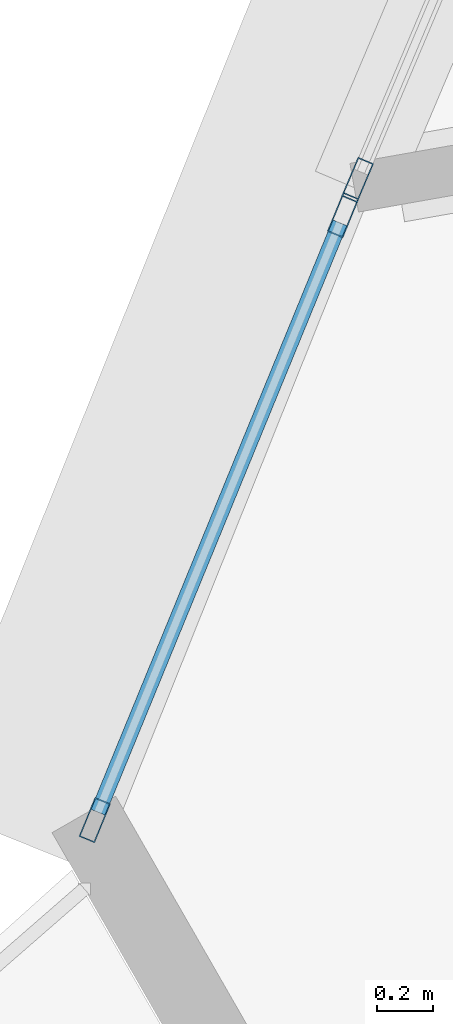
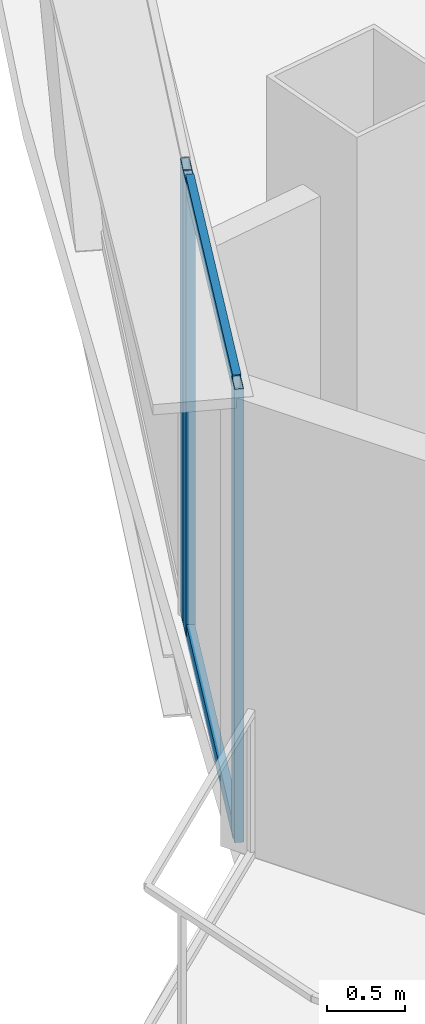
# One storey, part 4 of 36: 5 members, 2 elements without a shape of their own.
"""IFC4 building model written with IfcOpenShell, lengths in metres."""

from ifc_helpers import new_model, si_unit, direction, frame, origin, origin_2d, place, context, subcontext, project, spatial, hollow_rectangle, extrude, source, transform, mapped, material, layer, layer_set, material_profile, profile_set, type_object, element, aggregate, save


model = new_model("IFC4")

# Units and contexts
model_context = context("Model", 3, precision=1e-05, world=origin(), true_north=direction((0.0, 1.0)))
body_context = subcontext(model_context, "Body", "Model", "MODEL_VIEW")
ifc_project = project(units=[si_unit("LENGTHUNIT", "METRE"), si_unit("AREAUNIT", "SQUARE_METRE"), si_unit("VOLUMEUNIT", "CUBIC_METRE"), si_unit("PLANEANGLEUNIT", "RADIAN"), si_unit("MASSUNIT", "GRAM", prefix="KILO"), si_unit("THERMODYNAMICTEMPERATUREUNIT", "KELVIN"), si_unit("POWERUNIT", "WATT")], contexts=[model_context])

# Site, building, storey
site_placement = place(None, origin())
site = spatial("IfcSite", under=ifc_project, at=site_placement, CompositionType="ELEMENT")
building_placement = place(site_placement, origin())
building = spatial("IfcBuilding", under=site, at=building_placement, Name="Yunzhuo Pagoda Commons", CompositionType="ELEMENT")
storey_placement = place(building_placement, frame((0.0, 0.0, 211.360107421875)))
storey = spatial("IfcBuildingStorey", under=building, at=storey_placement, Name="L53", CompositionType="ELEMENT", Elevation=211.360107421875)

# Curtain wall, member
ifc_material = material(Name="Anodized aluminium 6063-T6", Category="aluminium")
ifc_layer = layer(ifc_material, 0.14990234375)
ifc_layer_set = layer_set([ifc_layer], Name="Anodized aluminium 6063-T6")
curtain_wall_type = type_object("IfcCurtainWallType", Name="CW-MID Mid-Zone Ribbon Curtain Wall", PredefinedType="NOTDEFINED", material=ifc_layer_set)
curtain_wall_1_placement = place(storey_placement, origin())
curtain_wall_1 = element("IfcCurtainWall", 1, at=curtain_wall_1_placement, inside=storey, type_object=curtain_wall_type, Name="L53 curtain wall CW-L53-F3B4", PredefinedType="NOTDEFINED")
ifc_material_profile_1 = material_profile(ifc_material, hollow_rectangle(XDim=0.06005859375, YDim=0.14990234375, WallThickness=0.00390625, at=origin_2d()), Name="Anodized aluminium 6063-T6")
ifc_profile_set_1 = profile_set([ifc_material_profile_1], Name="Anodized aluminium 6063-T6")
member_type_1 = type_object("IfcMemberType", Name="CW-MID-M Mullion RHS 150x60x4", PredefinedType="MULLION", material=ifc_profile_set_1)
shared_shape_1 = source(origin(), body_context, "Body", "SweptSolid", [
    extrude(hollow_rectangle(XDim=0.06005859375, YDim=0.14990234375, WallThickness=0.00390625, at=origin_2d()), origin(), (0.0, 0.0, 1.0), 3.539794921875),
])
member_1_placement = place(storey_placement, frame((11.33642578125, 27.2607421875, 0.0), z_axis=(0.0, 0.0, 1.0), x_axis=(0.920979205321, -0.389611734123, 0.0)))
member_1 = element("IfcMember", 2, at=member_1_placement, type_object=member_type_1, Name="CW mullion 2", PredefinedType="MULLION", context=body_context, shape_type="MappedRepresentation", body=[
    mapped(shared_shape_1, transform((0.0, 0.0, 0.0), scale=1.0)),
])
aggregate(curtain_wall_1, [member_1])

# Curtain wall, members
curtain_wall_2_placement = place(storey_placement, origin())
curtain_wall_2 = element("IfcCurtainWall", 3, at=curtain_wall_2_placement, inside=storey, type_object=curtain_wall_type, Name="L53 curtain wall CW-L53-F3B5", PredefinedType="NOTDEFINED")
member_2_placement = place(storey_placement, frame((11.284912109375, 27.135986328125, 0.0), z_axis=(0.0, 0.0, 1.0), x_axis=(0.925117902297, -0.379679953183, 0.0)))
member_2 = element("IfcMember", 4, at=member_2_placement, type_object=member_type_1, Name="CW mullion 1", PredefinedType="MULLION", context=body_context, shape_type="MappedRepresentation", body=[
    mapped(shared_shape_1, transform((0.0, 0.0, 0.0), scale=1.0)),
])
member_3_placement = place(storey_placement, frame((10.404296875, 24.990234375, 0.0), z_axis=(0.0, 0.0, 1.0), x_axis=(0.925117902297, -0.379679953183, 0.0)))
member_3 = element("IfcMember", 5, at=member_3_placement, type_object=member_type_1, Name="CW mullion 2", PredefinedType="MULLION", context=body_context, shape_type="MappedRepresentation", body=[
    mapped(shared_shape_1, transform((0.0, 0.0, 0.0), scale=1.0)),
])
ifc_material_profile_2 = material_profile(ifc_material, hollow_rectangle(XDim=0.054931640625, YDim=0.1298828125, WallThickness=0.00341796875, at=origin_2d()), Name="Anodized aluminium 6063-T6")
ifc_profile_set_2 = profile_set([ifc_material_profile_2], Name="Anodized aluminium 6063-T6")
member_type_2 = type_object("IfcMemberType", Name="CW-MID-T Transom RHS 130x55x3.5", PredefinedType="USERDEFINED", material=ifc_profile_set_2)
shared_shape_2 = source(origin(), body_context, "Body", "SweptSolid", [
    extrude(hollow_rectangle(XDim=0.054931640625, YDim=0.1298828125, WallThickness=0.00341796875, at=origin_2d()), origin(), (0.0, 0.0, 1.0), 2.259521484375),
])
member_4_placement = place(storey_placement, frame((11.273681640625, 27.1083984375, 0.02734375), z_axis=(-0.379776873257, -0.925078119155, 0.0), x_axis=(0.925078119155, -0.379776873257, 0.0)))
member_4 = element("IfcMember", 6, at=member_4_placement, type_object=member_type_2, Name="CW transom 1.1", ObjectType="TRANSOM", PredefinedType="USERDEFINED", context=body_context, shape_type="MappedRepresentation", body=[
    mapped(shared_shape_2, transform((0.0, 0.0, 0.0), scale=1.0)),
])
member_5_placement = place(storey_placement, frame((11.273681640625, 27.1083984375, 3.512451171875), z_axis=(-0.379776873257, -0.925078119155, 0.0), x_axis=(0.925078119155, -0.379776873257, 0.0)))
member_5 = element("IfcMember", 7, at=member_5_placement, type_object=member_type_2, Name="CW transom 1.2", ObjectType="TRANSOM", PredefinedType="USERDEFINED", context=body_context, shape_type="MappedRepresentation", body=[
    mapped(shared_shape_2, transform((0.0, 0.0, 0.0), scale=1.0)),
])
aggregate(curtain_wall_2, [member_2, member_3, member_4, member_5])

save(model, "model.ifc")
